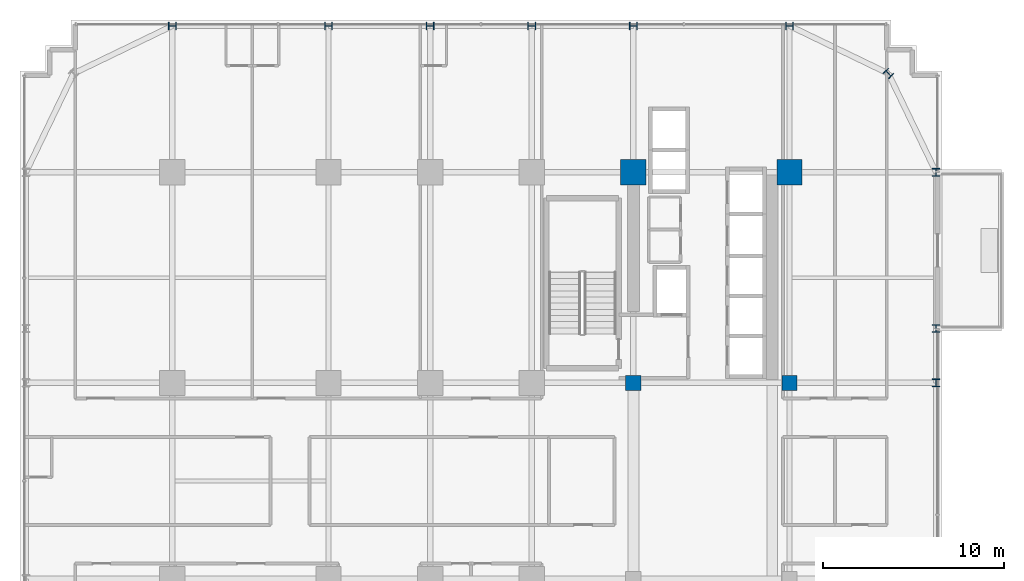
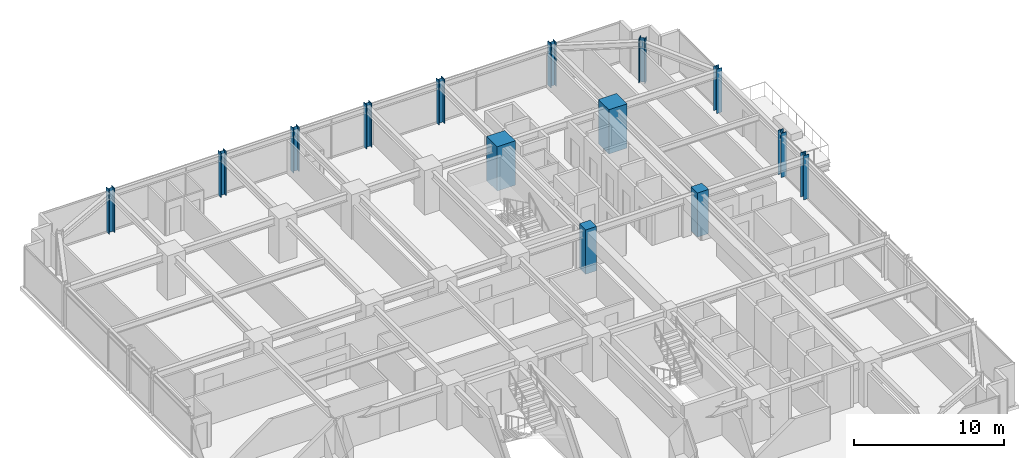
# One storey, part 2 of 36: 14 columns.
"""IFC4 building model written with IfcOpenShell, lengths in metres."""

import ifcopenshell
import ifcopenshell.guid

model = None  # the IFC model being written
_history = None  # IfcOwnerHistory: only IFC2X3 demands one
_inside = {}  # id of a spatial element -> (the spatial element, [elements in it])
_under = {}  # id of a project, library or spatial element -> (it, [spatial elements below it])
_declared = {}  # id of a project -> (the project, [libraries it declares])
_typed = {}  # id of a type object -> (the type object, [elements of that type])
_made_of = {}  # id of a material, layer set ... -> (it, [elements and type objects made of it])


def new_model(schema):
    """Start an empty IFC model of exactly this schema.

    Asked for "IFC4X3", IfcOpenShell would pick the latest addendum, in which some entities
    have other attributes; the version numbers below select the first issue.
    IFC2X3 requires an IfcOwnerHistory on every rooted entity: one is made here for all.
    """
    global model, _history
    if schema == "IFC4X3":
        model = ifcopenshell.file(schema_version=(4, 3, 0, 0))
    else:
        model = ifcopenshell.file(schema=schema)
    _inside.clear()
    _under.clear()
    _declared.clear()
    _typed.clear()
    _made_of.clear()
    _history = None
    if model.schema == "IFC2X3":
        org = make("IfcOrganization", Name="unknown")
        user = make(
            "IfcPersonAndOrganization",
            ThePerson=make("IfcPerson", FamilyName="unknown"),
            TheOrganization=org,
        )
        app = make(
            "IfcApplication",
            ApplicationDeveloper=org,
            Version="unknown",
            ApplicationFullName="unknown",
            ApplicationIdentifier="unknown",
        )
        _history = make(
            "IfcOwnerHistory",
            OwningUser=user,
            OwningApplication=app,
            ChangeAction="ADDED",
            CreationDate=0,
        )
    return model


def make(cls, **values):
    """One entity of the class cls with the attributes given. An attribute that is None is left unset."""
    return model.create_entity(
        cls, **{name: value for name, value in values.items() if value is not None}
    )


def rooted(cls, **values):
    """An entity with a GlobalId (a new one), such as an element, a storey or a relation."""
    return make(cls, GlobalId=ifcopenshell.guid.new(), OwnerHistory=_history, **values)


def si_unit(unit_type, name, prefix=None):
    """IfcSIUnit, for example si_unit("LENGTHUNIT", "METRE", prefix="MILLI")."""
    return make("IfcSIUnit", UnitType=unit_type, Prefix=prefix, Name=name)


def assignment(units):
    """IfcUnitAssignment: the units of a project."""
    return None if units is None else make("IfcUnitAssignment", Units=units)


def point(xyz):
    """IfcCartesianPoint."""
    return None if xyz is None else make("IfcCartesianPoint", Coordinates=xyz)


def direction(xyz):
    """IfcDirection."""
    return None if xyz is None else make("IfcDirection", DirectionRatios=xyz)


def frame(location, z_axis=None, x_axis=None):
    """IfcAxis2Placement3D, a coordinate frame: its origin and axes. An axis left out is left unset."""
    return make(
        "IfcAxis2Placement3D",
        Location=point(location),
        Axis=direction(z_axis),
        RefDirection=direction(x_axis),
    )


def frame_2d(location, x_axis=None):
    """IfcAxis2Placement2D, a coordinate frame in the plane: its origin and x axis."""
    return make(
        "IfcAxis2Placement2D", Location=point(location), RefDirection=direction(x_axis)
    )


def origin():
    """The frame at (0, 0, 0) with its axes left unset."""
    return frame((0.0, 0.0, 0.0))


def origin_2d():
    """The frame at (0, 0) in the plane with its x axis left unset."""
    return frame_2d((0.0, 0.0))


def place(relative_to, where):
    """IfcLocalPlacement: puts the frame where relative to a parent placement (None: the world)."""
    return make(
        "IfcLocalPlacement", PlacementRelTo=relative_to, RelativePlacement=where
    )


def context(
    kind, dimensions, precision=None, world=None, true_north=None, identifier=None
):
    """IfcGeometricRepresentationContext, for example the 3D "Model" context."""
    return make(
        "IfcGeometricRepresentationContext",
        ContextIdentifier=identifier,
        ContextType=kind,
        CoordinateSpaceDimension=dimensions,
        Precision=precision,
        WorldCoordinateSystem=world,
        TrueNorth=true_north,
    )


def subcontext(parent, identifier, kind, view, scale=None):
    """IfcGeometricRepresentationSubContext, for example "Body" below "Model"."""
    return make(
        "IfcGeometricRepresentationSubContext",
        ContextIdentifier=identifier,
        ContextType=kind,
        ParentContext=parent,
        TargetScale=scale,
        TargetView=view,
    )


def project(units=None, contexts=None):
    """IfcProject with its units and contexts."""
    return rooted(
        "IfcProject",
        Name="project",
        RepresentationContexts=contexts,
        UnitsInContext=assignment(units),
    )


def spatial(cls, under=None, at=None, **own):
    """A site, building, storey or space (cls), placed at a placement, below another one or the project."""
    s = rooted(cls, ObjectPlacement=at, **own)
    if under is not None:
        _under.setdefault(under.id(), (under, []))[1].append(s)
    return s


def profile(cls, at=None, kind="AREA", **sizes):
    """A parametric profile (cls). Its sizes go by their IFC names, for example OverallWidth=200.0."""
    return make(cls, ProfileType=kind, Position=at, **sizes)


def rectangle(**sizes):
    """IfcRectangleProfileDef."""
    return profile("IfcRectangleProfileDef", **sizes)


def i_section(**sizes):
    """IfcIShapeProfileDef."""
    return profile("IfcIShapeProfileDef", **sizes)


def extrude(swept, where, along, depth):
    """IfcExtrudedAreaSolid: the profile swept, set in the frame where, extruded along a direction by depth."""
    return make(
        "IfcExtrudedAreaSolid",
        SweptArea=swept,
        Position=where,
        ExtrudedDirection=direction(along),
        Depth=depth,
    )


def shape(context_of_items, identifier, shape_type, items):
    """IfcShapeRepresentation: the items that make up one representation, for example the "Body"."""
    return make(
        "IfcShapeRepresentation",
        ContextOfItems=context_of_items,
        RepresentationIdentifier=identifier,
        RepresentationType=shape_type,
        Items=items,
    )


def source(mapping_origin, context_of_items, identifier, shape_type, items):
    """IfcRepresentationMap: a shape defined once, which mapped items show again and again."""
    return make(
        "IfcRepresentationMap",
        MappingOrigin=mapping_origin,
        MappedRepresentation=shape(context_of_items, identifier, shape_type, items),
    )


def transform(
    local_origin,
    x_axis=None,
    y_axis=None,
    z_axis=None,
    scale=None,
    scale2=None,
    scale3=None,
    uniform=True,
):
    """IfcCartesianTransformationOperator3D, or its non-uniform kind. x_axis, y_axis, z_axis: its Axis1, 2, 3."""
    if uniform:
        return make(
            "IfcCartesianTransformationOperator3D",
            Axis1=direction(x_axis),
            Axis2=direction(y_axis),
            LocalOrigin=point(local_origin),
            Scale=scale,
            Axis3=direction(z_axis),
        )
    return make(
        "IfcCartesianTransformationOperator3DnonUniform",
        Axis1=direction(x_axis),
        Axis2=direction(y_axis),
        LocalOrigin=point(local_origin),
        Scale=scale,
        Axis3=direction(z_axis),
        Scale2=scale2,
        Scale3=scale3,
    )


def mapped(mapping_source, mapping_target):
    """IfcMappedItem: shows the shape of a source again, moved by a transform."""
    return make(
        "IfcMappedItem", MappingSource=mapping_source, MappingTarget=mapping_target
    )


def material(Name=None, Category=None):
    """IfcMaterial."""
    return make("IfcMaterial", Name=Name, Category=Category)


def material_profile(
    of_material, cross_section, Name=None, Category=None, Priority=None
):
    """IfcMaterialProfile: a cross section and its material."""
    return make(
        "IfcMaterialProfile",
        Name=Name,
        Material=of_material,
        Profile=cross_section,
        Priority=Priority,
        Category=Category,
    )


def profile_set(profiles, Name=None, composite=None):
    """IfcMaterialProfileSet."""
    return make(
        "IfcMaterialProfileSet",
        Name=Name,
        MaterialProfiles=profiles,
        CompositeProfile=composite,
    )


def made_of(thing, what):
    """Note that an element or type object is made of a material, layer set ...; save() writes the relation."""
    if what is not None:
        _made_of.setdefault(what.id(), (what, []))[1].append(thing)
    return thing


def type_object(cls, material=None, **own):
    """A type object (cls), such as IfcWallType, which elements share."""
    return made_of(rooted(cls, **own), material)


def element(
    cls,
    number,
    at=None,
    inside=None,
    cuts=None,
    type_object=None,
    material=None,
    context=None,
    identifier="Body",
    shape_type=None,
    held_by="IfcProductDefinitionShape",
    body=None,
    shapes=None,
    **own,
):
    """One element of the class cls, such as IfcWall. Its Tag is "e" and its number.

    at: its placement. inside: the storey or other place that contains it. cuts: it is an
    opening in that element (IfcRelVoidsElement). A single representation is given by context,
    identifier, shape_type and body (its items); several are given by shapes. held_by: the class
    of the entity that holds the representations. save() writes the other relations.
    """
    e = rooted(cls, Tag="e%d" % number, ObjectPlacement=at, **own)
    if body is not None:
        shapes = [shape(context, identifier, shape_type, body)]
    if shapes is not None:
        e.Representation = make(held_by, Representations=shapes)
    if inside is not None:
        _inside.setdefault(inside.id(), (inside, []))[1].append(e)
    if cuts is not None:
        rooted(
            "IfcRelVoidsElement", RelatingBuildingElement=cuts, RelatedOpeningElement=e
        )
    if type_object is not None:
        _typed.setdefault(type_object.id(), (type_object, []))[1].append(e)
    return made_of(e, material)


def aggregate(whole, parts):
    """IfcRelAggregates: a whole, such as a stair, and the parts it consists of."""
    return rooted("IfcRelAggregates", RelatingObject=whole, RelatedObjects=parts)


def save(model, path):
    """Write the relations noted so far, then the file.

    IfcRelAggregates (storeys below a building ...), IfcRelContainedInSpatialStructure (elements
    in a storey), IfcRelDefinesByType, IfcRelAssociatesMaterial and IfcRelDeclares: one each for
    every whole, place, type object, material and project.
    """
    for whole, parts in _under.values():
        aggregate(whole, parts)
    for where, things in _inside.values():
        rooted(
            "IfcRelContainedInSpatialStructure",
            RelatedElements=things,
            RelatingStructure=where,
        )
    for kind, things in _typed.values():
        rooted("IfcRelDefinesByType", RelatedObjects=things, RelatingType=kind)
    for what, things in _made_of.values():
        rooted("IfcRelAssociatesMaterial", RelatedObjects=things, RelatingMaterial=what)
    for by, libraries in _declared.values():
        rooted("IfcRelDeclares", RelatingContext=by, RelatedDefinitions=libraries)
    model.write(path)


model = new_model("IFC4")

# Units and contexts
model_context = context("Model", 3, precision=1e-05, world=origin(), true_north=direction((0.0, 1.0)))
body_context = subcontext(model_context, "Body", "Model", "MODEL_VIEW")
ifc_project = project(units=[si_unit("LENGTHUNIT", "METRE"), si_unit("AREAUNIT", "SQUARE_METRE"), si_unit("VOLUMEUNIT", "CUBIC_METRE"), si_unit("PLANEANGLEUNIT", "RADIAN"), si_unit("MASSUNIT", "GRAM", prefix="KILO")], contexts=[model_context])

# Site, building, storey
site_placement = place(None, origin())
site = spatial("IfcSite", under=ifc_project, at=site_placement, CompositionType="ELEMENT")
building_placement = place(site_placement, origin())
building = spatial("IfcBuilding", under=site, at=building_placement, Name="Nahalor Promenade Grand Hotel", CompositionType="ELEMENT")
storey_placement = place(building_placement, frame((0.0, 0.0, 72.550048828125)))
storey = spatial("IfcBuildingStorey", under=building, at=storey_placement, Name="L17", CompositionType="ELEMENT", Elevation=72.550048828125)

# Columns
ifc_material_1 = material(Name="Concrete B-70 (C60/75)", Category="concrete")
ifc_material_profile_1 = material_profile(ifc_material_1, rectangle(XDim=1.4, YDim=1.4, at=origin_2d()), Name="RC 1400x1400")
ifc_profile_set_1 = profile_set([ifc_material_profile_1], Name="Concrete B-70 (C60/75)")
column_type_1 = type_object("IfcColumnType", Name="Col-RC-1400", PredefinedType="COLUMN", material=ifc_profile_set_1)
shared_shape_1 = source(origin(), body_context, "Body", "SweptSolid", [
    extrude(rectangle(XDim=1.4, YDim=1.4, at=origin_2d()), origin(), (0.0, 0.0, 1.0), 3.60498046875),
])
for number, where, z_axis, x_axis, name in (
    (1, (8.39990234375, 17.0, 0.0), (0.0, 0.0, 1.0), (1.0, 0.0, 0.0), "COL-L17-I43"),
    (2, (17.0, 17.0, 0.0), (0.0, 0.0, 1.0), (1.0, 0.0, 0.0), "COL-L17-I53"),
):
    element("IfcColumn", number, at=place(storey_placement, frame(where, z_axis=z_axis, x_axis=x_axis)), inside=storey, type_object=column_type_1, Name=name, PredefinedType="COLUMN", context=body_context, shape_type="MappedRepresentation", body=[
        mapped(shared_shape_1, transform((0.0, 0.0, 0.0), scale=1.0)),
    ])
ifc_material_profile_2 = material_profile(ifc_material_1, rectangle(XDim=0.85, YDim=0.85, at=origin_2d()), Name="RC 850x850")
ifc_profile_set_2 = profile_set([ifc_material_profile_2], Name="Concrete B-70 (C60/75)")
column_type_2 = type_object("IfcColumnType", Name="Col-Pilaster-850", PredefinedType="PILASTER", material=ifc_profile_set_2)
shared_shape_2 = source(origin(), body_context, "Body", "SweptSolid", [
    extrude(rectangle(XDim=0.85, YDim=0.85, at=origin_2d()), origin(), (0.0, 0.0, 1.0), 3.60498046875),
])
for number, where, z_axis, x_axis, name in (
    (3, (8.39990234375, 5.39990234375, 0.0), (0.0, 0.0, 1.0), (1.0, 0.0, 0.0), "COL-L17-I42"),
    (4, (17.0, 5.39990234375, 0.0), (0.0, 0.0, 1.0), (1.0, 0.0, 0.0), "COL-L17-I52"),
):
    element("IfcColumn", number, at=place(storey_placement, frame(where, z_axis=z_axis, x_axis=x_axis)), inside=storey, type_object=column_type_2, Name=name, PredefinedType="PILASTER", context=body_context, shape_type="MappedRepresentation", body=[
        mapped(shared_shape_2, transform((0.0, 0.0, 0.0), scale=1.0)),
    ])
ifc_material_2 = material(Name="Steel S355J2", Category="steel")
ifc_material_profile_3 = material_profile(ifc_material_2, i_section(OverallWidth=0.412, OverallDepth=0.438, WebThickness=0.0226, FlangeThickness=0.0365, at=origin_2d()), Name="HD 400x463")
ifc_profile_set_3 = profile_set([ifc_material_profile_3], Name="Steel S355J2")
column_type_3 = type_object("IfcColumnType", Name="Col-Steel-HD463", PredefinedType="COLUMN", material=ifc_profile_set_3)
shared_shape_3 = source(origin(), body_context, "Body", "SweptSolid", [
    extrude(i_section(OverallWidth=0.412, OverallDepth=0.438, WebThickness=0.0226, FlangeThickness=0.0365, at=origin_2d()), origin(), (0.0, 0.0, 1.0), 3.60498046875),
])
for number, where, z_axis, x_axis, name in (
    (5, (25.080078125, 5.39990234375, 0.0), (0.0, 0.0, 1.0), (1.0, 0.0, 0.0), "COL-L17-PW-E3"),
    (6, (25.080078125, 8.39990234375, 0.0), (0.0, 0.0, 1.0), (1.0, 0.0, 0.0), "COL-L17-PW-E4"),
    (7, (25.080078125, 17.0, 0.0), (0.0, 0.0, 1.0), (1.0, 0.0, 0.0), "COL-L17-PW-E5"),
    (8, (-17.0, 25.080078125, 0.0), (0.0, 0.0, 1.0), (0.0, 1.0, 0.0), "COL-L17-PN-N0"),
    (9, (-8.39990234375, 25.080078125, 0.0), (0.0, 0.0, 1.0), (0.0, 1.0, 0.0), "COL-L17-PN-N1"),
    (10, (-2.800048828125, 25.080078125, 0.0), (0.0, 0.0, 1.0), (0.0, 1.0, 0.0), "COL-L17-PN-N2"),
    (11, (2.800048828125, 25.080078125, 0.0), (0.0, 0.0, 1.0), (0.0, 1.0, 0.0), "COL-L17-PN-N3"),
    (12, (8.39990234375, 25.080078125, 0.0), (0.0, 0.0, 1.0), (0.0, 1.0, 0.0), "COL-L17-PN-N4"),
    (13, (17.0, 25.080078125, 0.0), (0.0, 0.0, 1.0), (0.0, 1.0, 0.0), "COL-L17-PN-N5"),
    (14, (22.449951171875, 22.449951171875, 0.0), (0.0, 0.0, 1.0), (0.707106781187, 0.707106781187, 0.0), "COL-L17-CRN-NE"),
):
    element("IfcColumn", number, at=place(storey_placement, frame(where, z_axis=z_axis, x_axis=x_axis)), inside=storey, type_object=column_type_3, Name=name, PredefinedType="COLUMN", context=body_context, shape_type="MappedRepresentation", body=[
        mapped(shared_shape_3, transform((0.0, 0.0, 0.0), scale=1.0)),
    ])

save(model, "model.ifc")
